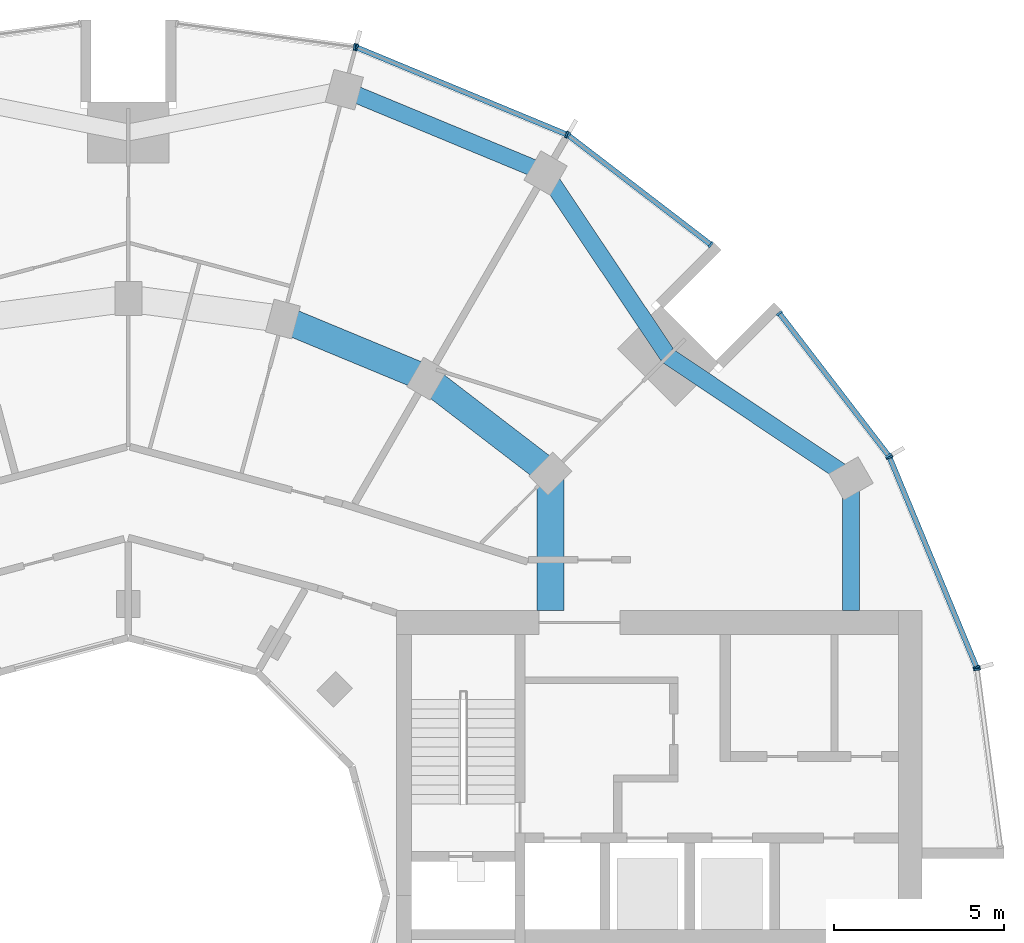
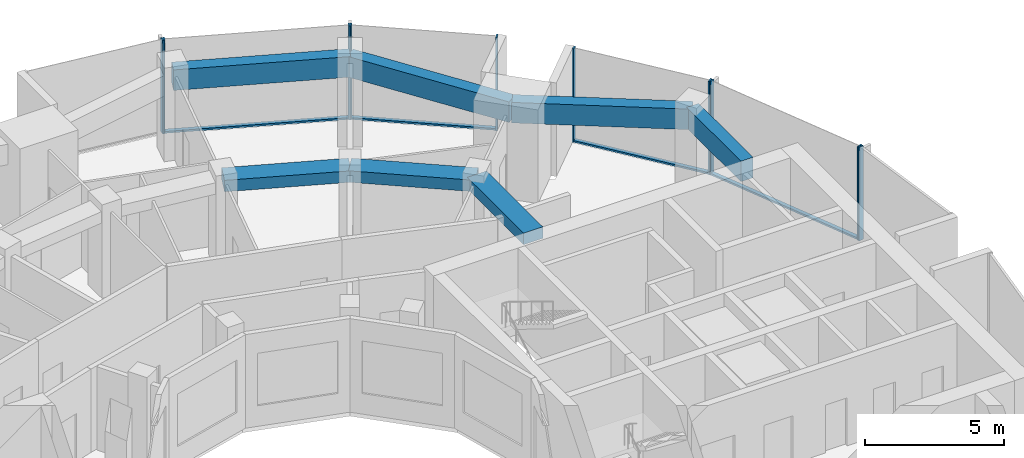
# One storey, part 6 of 15: 14 members, 7 beams, 6 elements without a shape of their own.
"""IFC4 building model written with IfcOpenShell, lengths in metres."""

import ifcopenshell
import ifcopenshell.guid

model = None  # the IFC model being written
_history = None  # IfcOwnerHistory: only IFC2X3 demands one
_inside = {}  # id of a spatial element -> (the spatial element, [elements in it])
_under = {}  # id of a project, library or spatial element -> (it, [spatial elements below it])
_declared = {}  # id of a project -> (the project, [libraries it declares])
_typed = {}  # id of a type object -> (the type object, [elements of that type])
_made_of = {}  # id of a material, layer set ... -> (it, [elements and type objects made of it])


def new_model(schema):
    """Start an empty IFC model of exactly this schema.

    Asked for "IFC4X3", IfcOpenShell would pick the latest addendum, in which some entities
    have other attributes; the version numbers below select the first issue.
    IFC2X3 requires an IfcOwnerHistory on every rooted entity: one is made here for all.
    """
    global model, _history
    if schema == "IFC4X3":
        model = ifcopenshell.file(schema_version=(4, 3, 0, 0))
    else:
        model = ifcopenshell.file(schema=schema)
    _inside.clear()
    _under.clear()
    _declared.clear()
    _typed.clear()
    _made_of.clear()
    _history = None
    if model.schema == "IFC2X3":
        org = make("IfcOrganization", Name="unknown")
        user = make(
            "IfcPersonAndOrganization",
            ThePerson=make("IfcPerson", FamilyName="unknown"),
            TheOrganization=org,
        )
        app = make(
            "IfcApplication",
            ApplicationDeveloper=org,
            Version="unknown",
            ApplicationFullName="unknown",
            ApplicationIdentifier="unknown",
        )
        _history = make(
            "IfcOwnerHistory",
            OwningUser=user,
            OwningApplication=app,
            ChangeAction="ADDED",
            CreationDate=0,
        )
    return model


def make(cls, **values):
    """One entity of the class cls with the attributes given. An attribute that is None is left unset."""
    return model.create_entity(
        cls, **{name: value for name, value in values.items() if value is not None}
    )


def rooted(cls, **values):
    """An entity with a GlobalId (a new one), such as an element, a storey or a relation."""
    return make(cls, GlobalId=ifcopenshell.guid.new(), OwnerHistory=_history, **values)


def si_unit(unit_type, name, prefix=None):
    """IfcSIUnit, for example si_unit("LENGTHUNIT", "METRE", prefix="MILLI")."""
    return make("IfcSIUnit", UnitType=unit_type, Prefix=prefix, Name=name)


def assignment(units):
    """IfcUnitAssignment: the units of a project."""
    return None if units is None else make("IfcUnitAssignment", Units=units)


def point(xyz):
    """IfcCartesianPoint."""
    return None if xyz is None else make("IfcCartesianPoint", Coordinates=xyz)


def direction(xyz):
    """IfcDirection."""
    return None if xyz is None else make("IfcDirection", DirectionRatios=xyz)


def frame(location, z_axis=None, x_axis=None):
    """IfcAxis2Placement3D, a coordinate frame: its origin and axes. An axis left out is left unset."""
    return make(
        "IfcAxis2Placement3D",
        Location=point(location),
        Axis=direction(z_axis),
        RefDirection=direction(x_axis),
    )


def frame_2d(location, x_axis=None):
    """IfcAxis2Placement2D, a coordinate frame in the plane: its origin and x axis."""
    return make(
        "IfcAxis2Placement2D", Location=point(location), RefDirection=direction(x_axis)
    )


def origin():
    """The frame at (0, 0, 0) with its axes left unset."""
    return frame((0.0, 0.0, 0.0))


def origin_2d():
    """The frame at (0, 0) in the plane with its x axis left unset."""
    return frame_2d((0.0, 0.0))


def place(relative_to, where):
    """IfcLocalPlacement: puts the frame where relative to a parent placement (None: the world)."""
    return make(
        "IfcLocalPlacement", PlacementRelTo=relative_to, RelativePlacement=where
    )


def context(
    kind, dimensions, precision=None, world=None, true_north=None, identifier=None
):
    """IfcGeometricRepresentationContext, for example the 3D "Model" context."""
    return make(
        "IfcGeometricRepresentationContext",
        ContextIdentifier=identifier,
        ContextType=kind,
        CoordinateSpaceDimension=dimensions,
        Precision=precision,
        WorldCoordinateSystem=world,
        TrueNorth=true_north,
    )


def subcontext(parent, identifier, kind, view, scale=None):
    """IfcGeometricRepresentationSubContext, for example "Body" below "Model"."""
    return make(
        "IfcGeometricRepresentationSubContext",
        ContextIdentifier=identifier,
        ContextType=kind,
        ParentContext=parent,
        TargetScale=scale,
        TargetView=view,
    )


def project(units=None, contexts=None):
    """IfcProject with its units and contexts."""
    return rooted(
        "IfcProject",
        Name="project",
        RepresentationContexts=contexts,
        UnitsInContext=assignment(units),
    )


def spatial(cls, under=None, at=None, **own):
    """A site, building, storey or space (cls), placed at a placement, below another one or the project."""
    s = rooted(cls, ObjectPlacement=at, **own)
    if under is not None:
        _under.setdefault(under.id(), (under, []))[1].append(s)
    return s


def profile(cls, at=None, kind="AREA", **sizes):
    """A parametric profile (cls). Its sizes go by their IFC names, for example OverallWidth=200.0."""
    return make(cls, ProfileType=kind, Position=at, **sizes)


def rectangle(**sizes):
    """IfcRectangleProfileDef."""
    return profile("IfcRectangleProfileDef", **sizes)


def extrude(swept, where, along, depth):
    """IfcExtrudedAreaSolid: the profile swept, set in the frame where, extruded along a direction by depth."""
    return make(
        "IfcExtrudedAreaSolid",
        SweptArea=swept,
        Position=where,
        ExtrudedDirection=direction(along),
        Depth=depth,
    )


def shape(context_of_items, identifier, shape_type, items):
    """IfcShapeRepresentation: the items that make up one representation, for example the "Body"."""
    return make(
        "IfcShapeRepresentation",
        ContextOfItems=context_of_items,
        RepresentationIdentifier=identifier,
        RepresentationType=shape_type,
        Items=items,
    )


def material(Name=None, Category=None):
    """IfcMaterial."""
    return make("IfcMaterial", Name=Name, Category=Category)


def layer(
    of_material, thickness, ventilated=None, Name=None, Category=None, Priority=None
):
    """IfcMaterialLayer: one layer of a wall or slab, of a material (None: an air gap)."""
    return make(
        "IfcMaterialLayer",
        Material=of_material,
        LayerThickness=thickness,
        IsVentilated=ventilated,
        Name=Name,
        Category=Category,
        Priority=Priority,
    )


def layer_set(layers, Name=None):
    """IfcMaterialLayerSet."""
    return make("IfcMaterialLayerSet", MaterialLayers=layers, LayerSetName=Name)


def material_profile(
    of_material, cross_section, Name=None, Category=None, Priority=None
):
    """IfcMaterialProfile: a cross section and its material."""
    return make(
        "IfcMaterialProfile",
        Name=Name,
        Material=of_material,
        Profile=cross_section,
        Priority=Priority,
        Category=Category,
    )


def profile_set(profiles, Name=None, composite=None):
    """IfcMaterialProfileSet."""
    return make(
        "IfcMaterialProfileSet",
        Name=Name,
        MaterialProfiles=profiles,
        CompositeProfile=composite,
    )


def made_of(thing, what):
    """Note that an element or type object is made of a material, layer set ...; save() writes the relation."""
    if what is not None:
        _made_of.setdefault(what.id(), (what, []))[1].append(thing)
    return thing


def type_object(cls, material=None, **own):
    """A type object (cls), such as IfcWallType, which elements share."""
    return made_of(rooted(cls, **own), material)


def element(
    cls,
    number,
    at=None,
    inside=None,
    cuts=None,
    type_object=None,
    material=None,
    context=None,
    identifier="Body",
    shape_type=None,
    held_by="IfcProductDefinitionShape",
    body=None,
    shapes=None,
    **own,
):
    """One element of the class cls, such as IfcWall. Its Tag is "e" and its number.

    at: its placement. inside: the storey or other place that contains it. cuts: it is an
    opening in that element (IfcRelVoidsElement). A single representation is given by context,
    identifier, shape_type and body (its items); several are given by shapes. held_by: the class
    of the entity that holds the representations. save() writes the other relations.
    """
    e = rooted(cls, Tag="e%d" % number, ObjectPlacement=at, **own)
    if body is not None:
        shapes = [shape(context, identifier, shape_type, body)]
    if shapes is not None:
        e.Representation = make(held_by, Representations=shapes)
    if inside is not None:
        _inside.setdefault(inside.id(), (inside, []))[1].append(e)
    if cuts is not None:
        rooted(
            "IfcRelVoidsElement", RelatingBuildingElement=cuts, RelatedOpeningElement=e
        )
    if type_object is not None:
        _typed.setdefault(type_object.id(), (type_object, []))[1].append(e)
    return made_of(e, material)


def aggregate(whole, parts):
    """IfcRelAggregates: a whole, such as a stair, and the parts it consists of."""
    return rooted("IfcRelAggregates", RelatingObject=whole, RelatedObjects=parts)


def save(model, path):
    """Write the relations noted so far, then the file.

    IfcRelAggregates (storeys below a building ...), IfcRelContainedInSpatialStructure (elements
    in a storey), IfcRelDefinesByType, IfcRelAssociatesMaterial and IfcRelDeclares: one each for
    every whole, place, type object, material and project.
    """
    for whole, parts in _under.values():
        aggregate(whole, parts)
    for where, things in _inside.values():
        rooted(
            "IfcRelContainedInSpatialStructure",
            RelatedElements=things,
            RelatingStructure=where,
        )
    for kind, things in _typed.values():
        rooted("IfcRelDefinesByType", RelatedObjects=things, RelatingType=kind)
    for what, things in _made_of.values():
        rooted("IfcRelAssociatesMaterial", RelatedObjects=things, RelatingMaterial=what)
    for by, libraries in _declared.values():
        rooted("IfcRelDeclares", RelatingContext=by, RelatedDefinitions=libraries)
    model.write(path)


model = new_model("IFC4")

# Units and contexts
model_context = context("Model", 3, precision=1e-05, world=origin(), true_north=direction((0.0, 1.0)))
body_context = subcontext(model_context, "Body", "Model", "MODEL_VIEW")
ifc_project = project(units=[si_unit("LENGTHUNIT", "METRE"), si_unit("AREAUNIT", "SQUARE_METRE"), si_unit("VOLUMEUNIT", "CUBIC_METRE"), si_unit("PLANEANGLEUNIT", "RADIAN"), si_unit("MASSUNIT", "GRAM", prefix="KILO")], contexts=[model_context])

# Site, building, storey
site_placement = place(None, origin())
site = spatial("IfcSite", under=ifc_project, at=site_placement, CompositionType="ELEMENT")
building_placement = place(site_placement, origin())
building = spatial("IfcBuilding", under=site, at=building_placement, Name="Torre Brocal", CompositionType="ELEMENT")
storey_placement = place(building_placement, frame((0.0, 0.0, 186.39990234375)))
storey = spatial("IfcBuildingStorey", under=building, at=storey_placement, Name="L43", CompositionType="ELEMENT", Elevation=186.39990234375)

# Curtain wall, members
ifc_material_1 = material(Name="Aluminium and glass", Category="aluminium")
ifc_layer_1 = layer(ifc_material_1, 0.199951171875)
ifc_layer_set_1 = layer_set([ifc_layer_1], Name="Aluminium and glass")
curtain_wall_type_1 = type_object("IfcCurtainWallType", Name="CW-1 CURTAIN WALL 4100 HIGH", PredefinedType="NOTDEFINED", material=ifc_layer_set_1)
curtain_wall_1_placement = place(storey_placement, origin())
curtain_wall_1 = element("IfcCurtainWall", 1, at=curtain_wall_1_placement, inside=storey, type_object=curtain_wall_type_1, Name="CW-1 RUN 2", PredefinedType="NOTDEFINED")
ifc_material_2 = material(Name="Aluminium, dark anodised", Category="aluminium")
ifc_material_profile_1 = material_profile(ifc_material_2, rectangle(XDim=0.199951171875, YDim=0.06005859375, at=origin_2d()), Name="CW-1 MULLION 60X200")
ifc_profile_set_1 = profile_set([ifc_material_profile_1], Name="Aluminium, dark anodised")
member_type_1 = type_object("IfcMemberType", Name="CW-1 MULLION 60X200", PredefinedType="MULLION", material=ifc_profile_set_1)
member_1_placement = place(storey_placement, frame((105.005126953125, 81.73095703125, 0.0), z_axis=(0.0, 0.0, 1.0), x_axis=(-0.923879532525, -0.382683432333, 0.0)))
member_1 = element("IfcMember", 2, at=member_1_placement, type_object=member_type_1, Name="CW1-4 mullion 1", PredefinedType="MULLION", context=body_context, shape_type="SweptSolid", body=[
    extrude(rectangle(XDim=0.199951171875, YDim=0.06005859375, at=origin_2d()), origin(), (0.0, 0.0, 1.0), 4.10009765625),
])
member_2_placement = place(storey_placement, frame((102.440673828125, 87.921875, 0.0), z_axis=(0.0, 0.0, 1.0), x_axis=(-0.923879532525, -0.382683432333, 0.0)))
member_2 = element("IfcMember", 3, at=member_2_placement, type_object=member_type_1, Name="CW1-4 mullion 2", PredefinedType="MULLION", context=body_context, shape_type="SweptSolid", body=[
    extrude(rectangle(XDim=0.199951171875, YDim=0.06005859375, at=origin_2d()), origin(), (0.0, 0.0, 1.0), 4.10009765625),
])

curtain_wall_2_placement = place(storey_placement, origin())
curtain_wall_2 = element("IfcCurtainWall", 4, at=curtain_wall_2_placement, inside=storey, type_object=curtain_wall_type_1, Name="CW-1 RUN 3", PredefinedType="NOTDEFINED")
member_3_placement = place(storey_placement, frame((102.4111328125, 87.973388671875, 0.0), z_axis=(0.0, 0.0, 1.0), x_axis=(-0.793353340259, -0.60876142905, 0.0)))
member_3 = element("IfcMember", 5, at=member_3_placement, type_object=member_type_1, Name="CW1-4 mullion 1", PredefinedType="MULLION", context=body_context, shape_type="SweptSolid", body=[
    extrude(rectangle(XDim=0.199951171875, YDim=0.06005859375, at=origin_2d()), origin(), (0.0, 0.0, 1.0), 4.10009765625),
])
member_4_placement = place(storey_placement, frame((99.19140625, 92.16943359375, 0.0), z_axis=(0.0, 0.0, 1.0), x_axis=(-0.793353340259, -0.60876142905, 0.0)))
member_4 = element("IfcMember", 6, at=member_4_placement, type_object=member_type_1, Name="CW1-4 mullion 2", PredefinedType="MULLION", context=body_context, shape_type="SweptSolid", body=[
    extrude(rectangle(XDim=0.199951171875, YDim=0.06005859375, at=origin_2d()), origin(), (0.0, 0.0, 1.0), 4.10009765625),
])

curtain_wall_3_placement = place(storey_placement, origin())
curtain_wall_3 = element("IfcCurtainWall", 7, at=curtain_wall_3_placement, inside=storey, type_object=curtain_wall_type_1, Name="CW-1 RUN 4", PredefinedType="NOTDEFINED")
member_5_placement = place(storey_placement, frame((97.16943359375, 94.19140625, 0.0), z_axis=(0.0, 0.0, 1.0), x_axis=(-0.60876142905, -0.793353340259, 0.0)))
member_5 = element("IfcMember", 8, at=member_5_placement, type_object=member_type_1, Name="CW1-4 mullion 1", PredefinedType="MULLION", context=body_context, shape_type="SweptSolid", body=[
    extrude(rectangle(XDim=0.199951171875, YDim=0.06005859375, at=origin_2d()), origin(), (0.0, 0.0, 1.0), 4.10009765625),
])
member_6_placement = place(storey_placement, frame((92.973388671875, 97.4111328125, 0.0), z_axis=(0.0, 0.0, 1.0), x_axis=(-0.60876142905, -0.793353340259, 0.0)))
member_6 = element("IfcMember", 9, at=member_6_placement, type_object=member_type_1, Name="CW1-4 mullion 2", PredefinedType="MULLION", context=body_context, shape_type="SweptSolid", body=[
    extrude(rectangle(XDim=0.199951171875, YDim=0.06005859375, at=origin_2d()), origin(), (0.0, 0.0, 1.0), 4.10009765625),
])

curtain_wall_4_placement = place(storey_placement, origin())
curtain_wall_4 = element("IfcCurtainWall", 10, at=curtain_wall_4_placement, inside=storey, type_object=curtain_wall_type_1, Name="CW-1 RUN 5", PredefinedType="NOTDEFINED")
member_7_placement = place(storey_placement, frame((92.921875, 97.440673828125, 0.0), z_axis=(0.0, 0.0, 1.0), x_axis=(-0.382683432333, -0.923879532525, 0.0)))
member_7 = element("IfcMember", 11, at=member_7_placement, type_object=member_type_1, Name="CW1-4 mullion 1", PredefinedType="MULLION", context=body_context, shape_type="SweptSolid", body=[
    extrude(rectangle(XDim=0.199951171875, YDim=0.06005859375, at=origin_2d()), origin(), (0.0, 0.0, 1.0), 4.10009765625),
])
member_8_placement = place(storey_placement, frame((86.73095703125, 100.005126953125, 0.0), z_axis=(0.0, 0.0, 1.0), x_axis=(-0.382683432333, -0.923879532525, 0.0)))
member_8 = element("IfcMember", 12, at=member_8_placement, type_object=member_type_1, Name="CW1-4 mullion 2", PredefinedType="MULLION", context=body_context, shape_type="SweptSolid", body=[
    extrude(rectangle(XDim=0.199951171875, YDim=0.06005859375, at=origin_2d()), origin(), (0.0, 0.0, 1.0), 4.10009765625),
])

# Curtain wall, member
curtain_wall_5_placement = place(storey_placement, origin())
curtain_wall_5 = element("IfcCurtainWall", 13, at=curtain_wall_5_placement, inside=storey, type_object=curtain_wall_type_1, Name="CW-1 RUN 6", PredefinedType="NOTDEFINED")
member_9_placement = place(storey_placement, frame((86.67333984375, 100.0205078125, 0.0), z_axis=(0.0, 0.0, 1.0), x_axis=(-0.13052619222, -0.991444861374, 0.0)))
member_9 = element("IfcMember", 14, at=member_9_placement, type_object=member_type_1, Name="CW1-4 mullion 1", PredefinedType="MULLION", context=body_context, shape_type="SweptSolid", body=[
    extrude(rectangle(XDim=0.199951171875, YDim=0.06005859375, at=origin_2d()), origin(), (0.0, 0.0, 1.0), 4.10009765625),
])
aggregate(curtain_wall_5, [member_9])

# Member
ifc_material_3 = material(Name="Aluminium, dark anodised", Category="aluminium")
ifc_material_profile_2 = material_profile(ifc_material_3, rectangle(XDim=0.159912109375, YDim=0.080078125, at=origin_2d()), Name="CW-1 TRANSOM 160X80")
ifc_profile_set_2 = profile_set([ifc_material_profile_2], Name="Aluminium, dark anodised")
member_type_2 = type_object("IfcMemberType", Name="CW-1 TRANSOM 160X80", PredefinedType="USERDEFINED", material=ifc_profile_set_2)
member_10_placement = place(storey_placement, frame((104.99365234375, 81.758544921875, 0.0400390625), z_axis=(-0.38266457234, 0.923887344364, 0.0), x_axis=(-0.923887344364, -0.38266457234, 0.0)))
member_10 = element("IfcMember", 15, at=member_10_placement, type_object=member_type_2, Name="CW1-4 transom 1.1", ObjectType="TRANSOM", PredefinedType="USERDEFINED", context=body_context, shape_type="SweptSolid", body=[
    extrude(rectangle(XDim=0.159912109375, YDim=0.080078125, at=origin_2d()), origin(), (0.0, 0.0, 1.0), 6.640869140625),
])

aggregate(curtain_wall_1, [member_1, member_2, member_10])

member_11_placement = place(storey_placement, frame((102.392822265625, 87.9970703125, 0.0400390625), z_axis=(-0.60874908096, 0.79336281513, 0.0), x_axis=(-0.79336281513, -0.60874908096, 0.0)))
member_11 = element("IfcMember", 16, at=member_11_placement, type_object=member_type_2, Name="CW1-4 transom 1.1", ObjectType="TRANSOM", PredefinedType="USERDEFINED", context=body_context, shape_type="SweptSolid", body=[
    extrude(rectangle(XDim=0.159912109375, YDim=0.080078125, at=origin_2d()), origin(), (0.0, 0.0, 1.0), 5.22900390625),
])

aggregate(curtain_wall_2, [member_3, member_4, member_11])

member_12_placement = place(storey_placement, frame((97.1455078125, 94.209716796875, 0.0400390625), z_axis=(-0.79336281513, 0.60874908096, 0.0), x_axis=(-0.60874908096, -0.79336281513, 0.0)))
member_12 = element("IfcMember", 17, at=member_12_placement, type_object=member_type_2, Name="CW1-4 transom 1.1", ObjectType="TRANSOM", PredefinedType="USERDEFINED", context=body_context, shape_type="SweptSolid", body=[
    extrude(rectangle(XDim=0.159912109375, YDim=0.080078125, at=origin_2d()), origin(), (0.0, 0.0, 1.0), 5.22900390625),
])

aggregate(curtain_wall_3, [member_5, member_6, member_12])

member_13_placement = place(storey_placement, frame((92.89404296875, 97.452392578125, 0.0400390625), z_axis=(-0.923887344364, 0.38266457234, 0.0), x_axis=(-0.38266457234, -0.923887344364, 0.0)))
member_13 = element("IfcMember", 18, at=member_13_placement, type_object=member_type_2, Name="CW1-4 transom 1.1", ObjectType="TRANSOM", PredefinedType="USERDEFINED", context=body_context, shape_type="SweptSolid", body=[
    extrude(rectangle(XDim=0.159912109375, YDim=0.080078125, at=origin_2d()), origin(), (0.0, 0.0, 1.0), 6.640869140625),
])

aggregate(curtain_wall_4, [member_7, member_8, member_13])

# Curtain wall, member
ifc_material_4 = material(Name="Aluminium and glass", Category="aluminium")
ifc_layer_2 = layer(ifc_material_4, 0.199951171875)
ifc_layer_set_2 = layer_set([ifc_layer_2], Name="Aluminium and glass")
curtain_wall_type_2 = type_object("IfcCurtainWallType", Name="CW-1B CURTAIN WALL 4100 HIGH", PredefinedType="NOTDEFINED", material=ifc_layer_set_2)
curtain_wall_6_placement = place(storey_placement, origin())
curtain_wall_6 = element("IfcCurtainWall", 19, at=curtain_wall_6_placement, inside=storey, type_object=curtain_wall_type_2, Name="CW-1B RUN 1", PredefinedType="NOTDEFINED")
ifc_material_5 = material(Name="Aluminium, dark anodised", Category="aluminium")
ifc_material_profile_3 = material_profile(ifc_material_5, rectangle(XDim=0.199951171875, YDim=0.06005859375, at=origin_2d()), Name="CW-1B MULLION 60X200")
ifc_profile_set_3 = profile_set([ifc_material_profile_3], Name="Aluminium, dark anodised")
member_type_3 = type_object("IfcMemberType", Name="CW-1B MULLION 60X200", PredefinedType="MULLION", material=ifc_profile_set_3)
member_14_placement = place(storey_placement, frame((105.0205078125, 81.67333984375, 0.0), z_axis=(0.0, 0.0, 1.0), x_axis=(-0.991444861374, -0.13052619222, 0.0)))
member_14 = element("IfcMember", 20, at=member_14_placement, type_object=member_type_3, Name="CW1B-4 mullion 2", PredefinedType="MULLION", context=body_context, shape_type="SweptSolid", body=[
    extrude(rectangle(XDim=0.199951171875, YDim=0.06005859375, at=origin_2d()), origin(), (0.0, 0.0, 1.0), 4.10009765625),
])
aggregate(curtain_wall_6, [member_14])

# Beams
ifc_material_6 = material(Name="Concrete C50", Category="concrete")
ifc_material_profile_4 = material_profile(ifc_material_6, rectangle(XDim=0.800048828125, YDim=0.5, at=origin_2d()), Name="RC 800X500")
ifc_profile_set_4 = profile_set([ifc_material_profile_4], Name="Concrete C50")
beam_type_1 = type_object("IfcBeamType", Name="RC BEAM 800X500 C50 TOP 3780", PredefinedType="BEAM", material=ifc_profile_set_4)
beam_1_placement = place(storey_placement, frame((92.445068359375, 87.445068359375, 3.530029296875), z_axis=(-0.793358265959, 0.6087550097, 0.0), x_axis=(-0.6087550097, -0.793358265959, 0.0)))
element("IfcBeam", 21, at=beam_1_placement, inside=storey, type_object=beam_type_1, Name="Beam BT-32", PredefinedType="BEAM", context=body_context, shape_type="SweptSolid", body=[
    extrude(rectangle(XDim=0.800048828125, YDim=0.5, at=origin_2d()), origin(), (0.0, 0.0, 1.0), 4.594482421875),
])
beam_2_placement = place(storey_placement, frame((88.800048828125, 90.241943359375, 3.530029296875), z_axis=(-0.923878240166, 0.382686552348, 0.0), x_axis=(-0.382686552348, -0.923878240166, 0.0)))
element("IfcBeam", 22, at=beam_2_placement, inside=storey, type_object=beam_type_1, Name="Beam BT-32", PredefinedType="BEAM", context=body_context, shape_type="SweptSolid", body=[
    extrude(rectangle(XDim=0.800048828125, YDim=0.5, at=origin_2d()), origin(), (0.0, 0.0, 1.0), 4.5947265625),
])
beam_3_placement = place(storey_placement, frame((92.445068359375, 87.445068359375, 3.530029296875), z_axis=(0.0, -1.0, 0.0), x_axis=(1.0, 0.0, 0.0)))
element("IfcBeam", 23, at=beam_3_placement, inside=storey, type_object=beam_type_1, Name="Beam BT-32", PredefinedType="BEAM", context=body_context, shape_type="SweptSolid", body=[
    extrude(rectangle(XDim=0.800048828125, YDim=0.5, at=origin_2d()), origin(), (0.0, 0.0, 1.0), 4.045166015625),
])
ifc_material_7 = material(Name="Concrete C50", Category="concrete")
ifc_material_profile_5 = material_profile(ifc_material_7, rectangle(XDim=0.5, YDim=0.89990234375, at=origin_2d()), Name="RC 500X900")
ifc_profile_set_5 = profile_set([ifc_material_profile_5], Name="Concrete C50")
beam_type_2 = type_object("IfcBeamType", Name="RC SPANDREL BEAM 500X900 C50 TOP 3780", PredefinedType="SPANDREL", material=ifc_profile_set_5)
for number, where, z_axis, x_axis, name in (
    (24, (101.30419921875, 87.300048828125, 3.330078125), (-0.831076844476, 0.556157602282, 0.0), (-0.556157602282, -0.831076844476, 0.0), "Beam BT-33"),
    (25, (95.909912109375, 90.909912109375, 3.330078125), (-0.556157602282, 0.831076844476, 0.0), (-0.831076844476, -0.556157602282, 0.0), "Beam BT-33"),
):
    element("IfcBeam", number, at=place(storey_placement, frame(where, z_axis=z_axis, x_axis=x_axis)), inside=storey, type_object=beam_type_2, Name=name, PredefinedType="SPANDREL", context=body_context, shape_type="SweptSolid", body=[
        extrude(rectangle(XDim=0.5, YDim=0.89990234375, at=origin_2d()), origin(), (0.0, 0.0, 1.0), 6.49072265625),
    ])
beam_4_placement = place(storey_placement, frame((92.300048828125, 96.30419921875, 3.330078125), z_axis=(-0.923882462513, 0.382676358639, 0.0), x_axis=(-0.382676358639, -0.923882462513, 0.0)))
element("IfcBeam", 26, at=beam_4_placement, inside=storey, type_object=beam_type_2, Name="Beam BT-33", PredefinedType="SPANDREL", context=body_context, shape_type="SweptSolid", body=[
    extrude(rectangle(XDim=0.5, YDim=0.89990234375, at=origin_2d()), origin(), (0.0, 0.0, 1.0), 6.421875),
])
beam_5_placement = place(storey_placement, frame((101.30419921875, 87.300048828125, 3.330078125), z_axis=(0.0, -1.0, 0.0), x_axis=(1.0, 0.0, 0.0)))
element("IfcBeam", 27, at=beam_5_placement, inside=storey, type_object=beam_type_2, Name="Beam BT-33", PredefinedType="SPANDREL", context=body_context, shape_type="SweptSolid", body=[
    extrude(rectangle(XDim=0.5, YDim=0.89990234375, at=origin_2d()), origin(), (0.0, 0.0, 1.0), 3.900146484375),
])

save(model, "model.ifc")
